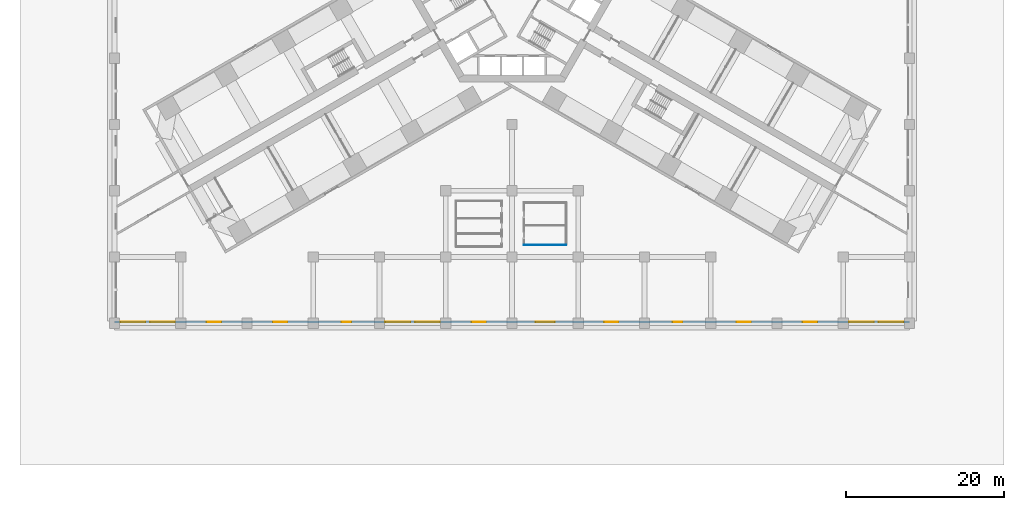
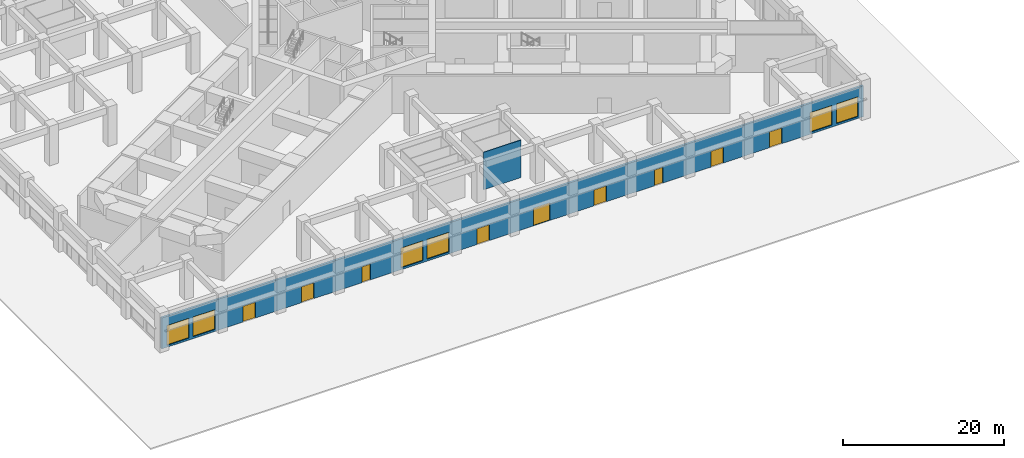
# One storey, part 6 of 33: 9 doors, 6 windows, 2 walls, 15 openings.
"""IFC4 building model written with IfcOpenShell, lengths in metres."""

from ifc_helpers import new_model, si_unit, direction, frame, frame_2d, origin, place, context, subcontext, project, spatial, rectangle, extrude, material, layer, layer_set, type_object, element, fill, save


model = new_model("IFC4")

# Units and contexts
model_context = context("Model", 3, precision=1e-05, world=origin(), true_north=direction((0.0, 1.0)))
body_context = subcontext(model_context, "Body", "Model", "MODEL_VIEW")
ifc_project = project(units=[si_unit("LENGTHUNIT", "METRE"), si_unit("AREAUNIT", "SQUARE_METRE"), si_unit("VOLUMEUNIT", "CUBIC_METRE"), si_unit("PLANEANGLEUNIT", "RADIAN"), si_unit("MASSUNIT", "GRAM", prefix="KILO")], contexts=[model_context])

# Site, building, storey
site_placement = place(None, origin())
site = spatial("IfcSite", under=ifc_project, at=site_placement, CompositionType="ELEMENT")
building_placement = place(site_placement, origin())
building = spatial("IfcBuilding", under=site, at=building_placement, Name="Impinga Residences", CompositionType="ELEMENT")
storey_placement = place(building_placement, origin())
storey = spatial("IfcBuildingStorey", under=building, at=storey_placement, Name="L00", CompositionType="ELEMENT", Elevation=0.0)

# Wall, openings, doors, windows
ifc_material_1 = material(Name="Stone facing on blockwork", Category="masonry")
ifc_layer_1 = layer(ifc_material_1, 0.300048828125)
ifc_layer_set_1 = layer_set([ifc_layer_1], Name="EW2 external wall, stone facing on blockwork 300")
wall_type_1 = type_object("IfcWallType", Name="EW2 external wall, stone facing on blockwork 300", PredefinedType="SOLIDWALL", material=ifc_layer_set_1)
wall_1_placement = place(storey_placement, frame((50.39990234375, -41.85009765625, 0.0), z_axis=(0.0, 0.0, 1.0), x_axis=(-1.0, 0.0, 0.0)))
wall_1 = element("IfcWall", 1, at=wall_1_placement, inside=storey, type_object=wall_type_1, Name="External wall EW2 L00", PredefinedType="SOLIDWALL", context=body_context, shape_type="SweptSolid", body=[
    extrude(rectangle(XDim=100.7998046875, YDim=0.300048828125, at=frame_2d((50.39990234375, 0.0))), origin(), (0.0, 0.0, 1.0), 4.699951171875),
])
opening_1_placement = place(wall_1_placement, frame((11.699951171875, 0.0, 0.0)))
opening_1 = element("IfcOpeningElement", 2, at=opening_1_placement, cuts=wall_1, Name="Opening ED6", PredefinedType="OPENING", context=body_context, shape_type="SweptSolid", body=[
    extrude(rectangle(XDim=1.800048828125, YDim=2.39990234375, at=frame_2d((0.89990234375, 1.199951171875))), frame((0.0, 0.159912109375, 0.0), z_axis=(0.0, -1.0, 0.0), x_axis=(1.0, 0.0, 0.0)), (0.0, 0.0, 1.0), 0.320068359375),
])
opening_2_placement = place(wall_1_placement, frame((20.10009765625, 0.0, 0.0)))
opening_2 = element("IfcOpeningElement", 3, at=opening_2_placement, cuts=wall_1, Name="Opening ED6", PredefinedType="OPENING", context=body_context, shape_type="SweptSolid", body=[
    extrude(rectangle(XDim=1.800048828125, YDim=2.39990234375, at=frame_2d((0.89990234375, 1.199951171875))), frame((0.0, 0.159912109375, 0.0), z_axis=(0.0, -1.0, 0.0), x_axis=(1.0, 0.0, 0.0)), (0.0, 0.0, 1.0), 0.320068359375),
])
opening_3_placement = place(wall_1_placement, frame((28.800048828125, 0.0, 0.0)))
opening_3 = element("IfcOpeningElement", 4, at=opening_3_placement, cuts=wall_1, Name="Opening ED2", PredefinedType="OPENING", context=body_context, shape_type="SweptSolid", body=[
    extrude(rectangle(XDim=1.199951171875, YDim=2.39990234375, at=frame_2d((0.60009765625, 1.199951171875))), frame((0.0, 0.159912109375, 0.0), z_axis=(0.0, -1.0, 0.0), x_axis=(1.0, 0.0, 0.0)), (0.0, 0.0, 1.0), 0.320068359375),
])
opening_4_placement = place(wall_1_placement, frame((36.89990234375, 0.0, 0.0)))
opening_4 = element("IfcOpeningElement", 5, at=opening_4_placement, cuts=wall_1, Name="Opening ED6", PredefinedType="OPENING", context=body_context, shape_type="SweptSolid", body=[
    extrude(rectangle(XDim=1.800048828125, YDim=2.39990234375, at=frame_2d((0.89990234375, 1.199951171875))), frame((0.0, 0.159912109375, 0.0), z_axis=(0.0, -1.0, 0.0), x_axis=(1.0, 0.0, 0.0)), (0.0, 0.0, 1.0), 0.320068359375),
])
opening_5_placement = place(wall_1_placement, frame((45.0, 0.0, 0.0)))
opening_5 = element("IfcOpeningElement", 6, at=opening_5_placement, cuts=wall_1, Name="Opening ED1", PredefinedType="OPENING", context=body_context, shape_type="SweptSolid", body=[
    extrude(rectangle(XDim=2.39990234375, YDim=2.699951171875, at=frame_2d((1.199951171875, 1.35009765625))), frame((0.0, 0.159912109375, 0.0), z_axis=(0.0, -1.0, 0.0), x_axis=(1.0, 0.0, 0.0)), (0.0, 0.0, 1.0), 0.320068359375),
])
opening_6_placement = place(wall_1_placement, frame((53.699951171875, 0.0, 0.0)))
opening_6 = element("IfcOpeningElement", 7, at=opening_6_placement, cuts=wall_1, Name="Opening ED6", PredefinedType="OPENING", context=body_context, shape_type="SweptSolid", body=[
    extrude(rectangle(XDim=1.800048828125, YDim=2.39990234375, at=frame_2d((0.89990234375, 1.199951171875))), frame((0.0, 0.159912109375, 0.0), z_axis=(0.0, -1.0, 0.0), x_axis=(1.0, 0.0, 0.0)), (0.0, 0.0, 1.0), 0.320068359375),
])
opening_7_placement = place(wall_1_placement, frame((70.800048828125, 0.0, 0.0)))
opening_7 = element("IfcOpeningElement", 8, at=opening_7_placement, cuts=wall_1, Name="Opening ED2", PredefinedType="OPENING", context=body_context, shape_type="SweptSolid", body=[
    extrude(rectangle(XDim=1.199951171875, YDim=2.39990234375, at=frame_2d((0.60009765625, 1.199951171875))), frame((0.0, 0.159912109375, 0.0), z_axis=(0.0, -1.0, 0.0), x_axis=(1.0, 0.0, 0.0)), (0.0, 0.0, 1.0), 0.320068359375),
])
opening_8_placement = place(wall_1_placement, frame((78.89990234375, 0.0, 0.0)))
opening_8 = element("IfcOpeningElement", 9, at=opening_8_placement, cuts=wall_1, Name="Opening ED6", PredefinedType="OPENING", context=body_context, shape_type="SweptSolid", body=[
    extrude(rectangle(XDim=1.800048828125, YDim=2.39990234375, at=frame_2d((0.89990234375, 1.199951171875))), frame((0.0, 0.159912109375, 0.0), z_axis=(0.0, -1.0, 0.0), x_axis=(1.0, 0.0, 0.0)), (0.0, 0.0, 1.0), 0.320068359375),
])
opening_9_placement = place(wall_1_placement, frame((87.300048828125, 0.0, 0.0)))
opening_9 = element("IfcOpeningElement", 10, at=opening_9_placement, cuts=wall_1, Name="Opening ED6", PredefinedType="OPENING", context=body_context, shape_type="SweptSolid", body=[
    extrude(rectangle(XDim=1.800048828125, YDim=2.39990234375, at=frame_2d((0.89990234375, 1.199951171875))), frame((0.0, 0.159912109375, 0.0), z_axis=(0.0, -1.0, 0.0), x_axis=(1.0, 0.0, 0.0)), (0.0, 0.0, 1.0), 0.320068359375),
])
opening_10_placement = place(wall_1_placement, frame((0.75, 0.0, 0.300048828125)))
opening_10 = element("IfcOpeningElement", 11, at=opening_10_placement, cuts=wall_1, Name="Opening SH1", PredefinedType="OPENING", context=body_context, shape_type="SweptSolid", body=[
    extrude(rectangle(XDim=3.14990234375, YDim=3.0, at=frame_2d((1.574951171875, 1.5))), frame((0.0, 0.159912109375, 0.0), z_axis=(0.0, -1.0, 0.0), x_axis=(1.0, 0.0, 0.0)), (0.0, 0.0, 1.0), 0.320068359375),
])
opening_11_placement = place(wall_1_placement, frame((4.5, 0.0, 0.300048828125)))
opening_11 = element("IfcOpeningElement", 12, at=opening_11_placement, cuts=wall_1, Name="Opening SH1", PredefinedType="OPENING", context=body_context, shape_type="SweptSolid", body=[
    extrude(rectangle(XDim=3.14990234375, YDim=3.0, at=frame_2d((1.574951171875, 1.5))), frame((0.0, 0.159912109375, 0.0), z_axis=(0.0, -1.0, 0.0), x_axis=(1.0, 0.0, 0.0)), (0.0, 0.0, 1.0), 0.320068359375),
])
opening_12_placement = place(wall_1_placement, frame((59.550048828125, 0.0, 0.300048828125)))
opening_12 = element("IfcOpeningElement", 13, at=opening_12_placement, cuts=wall_1, Name="Opening SH1", PredefinedType="OPENING", context=body_context, shape_type="SweptSolid", body=[
    extrude(rectangle(XDim=3.14990234375, YDim=3.0, at=frame_2d((1.574951171875, 1.5))), frame((0.0, 0.159912109375, 0.0), z_axis=(0.0, -1.0, 0.0), x_axis=(1.0, 0.0, 0.0)), (0.0, 0.0, 1.0), 0.320068359375),
])
opening_13_placement = place(wall_1_placement, frame((63.300048828125, 0.0, 0.300048828125)))
opening_13 = element("IfcOpeningElement", 14, at=opening_13_placement, cuts=wall_1, Name="Opening SH1", PredefinedType="OPENING", context=body_context, shape_type="SweptSolid", body=[
    extrude(rectangle(XDim=3.14990234375, YDim=3.0, at=frame_2d((1.574951171875, 1.5))), frame((0.0, 0.159912109375, 0.0), z_axis=(0.0, -1.0, 0.0), x_axis=(1.0, 0.0, 0.0)), (0.0, 0.0, 1.0), 0.320068359375),
])
opening_14_placement = place(wall_1_placement, frame((93.14990234375, 0.0, 0.300048828125)))
opening_14 = element("IfcOpeningElement", 15, at=opening_14_placement, cuts=wall_1, Name="Opening SH1", PredefinedType="OPENING", context=body_context, shape_type="SweptSolid", body=[
    extrude(rectangle(XDim=3.14990234375, YDim=3.0, at=frame_2d((1.574951171875, 1.5))), frame((0.0, 0.159912109375, 0.0), z_axis=(0.0, -1.0, 0.0), x_axis=(1.0, 0.0, 0.0)), (0.0, 0.0, 1.0), 0.320068359375),
])
opening_15_placement = place(wall_1_placement, frame((96.89990234375, 0.0, 0.300048828125)))
opening_15 = element("IfcOpeningElement", 16, at=opening_15_placement, cuts=wall_1, Name="Opening SH1", PredefinedType="OPENING", context=body_context, shape_type="SweptSolid", body=[
    extrude(rectangle(XDim=3.14990234375, YDim=3.0, at=frame_2d((1.574951171875, 1.5))), frame((0.0, 0.159912109375, 0.0), z_axis=(0.0, -1.0, 0.0), x_axis=(1.0, 0.0, 0.0)), (0.0, 0.0, 1.0), 0.320068359375),
])
ifc_material_2 = material(Name="Glazed aluminium door", Category="aluminium")
door_type_1 = type_object("IfcDoorType", Name="ED1 main entrance door pair 2400x2700", OperationType="DOUBLE_DOOR_DOUBLE_SWING", PredefinedType="DOOR", material=ifc_material_2)
door_1_placement = place(opening_5_placement, origin())
door_1 = element("IfcDoor", 17, at=door_1_placement, inside=storey, type_object=door_type_1, Name="Main entrance doors L00", OperationType="DOUBLE_DOOR_DOUBLE_SWING", OverallHeight=2.699951171875, OverallWidth=2.39990234375, PredefinedType="DOOR", context=body_context, shape_type="SweptSolid", body=[
    extrude(rectangle(XDim=2.39990234375, YDim=2.699951171875, at=frame_2d((1.199951171875, 1.35009765625))), frame((0.0, 0.02490234375, 0.0), z_axis=(0.0, -1.0, 0.0), x_axis=(1.0, 0.0, 0.0)), (0.0, 0.0, 1.0), 0.050048828125),
])
fill(opening_5, door_1)
ifc_material_3 = material(Name="Steel door, painted", Category="steel")
door_type_2 = type_object("IfcDoorType", Name="ED2 external exit door 1200x2400", OperationType="SINGLE_SWING_LEFT", PredefinedType="DOOR", material=ifc_material_3)
door_2_placement = place(opening_3_placement, origin())
door_2 = element("IfcDoor", 18, at=door_2_placement, inside=storey, type_object=door_type_2, Name="Exit door L00", OperationType="SINGLE_SWING_LEFT", OverallHeight=2.39990234375, OverallWidth=1.199951171875, PredefinedType="DOOR", context=body_context, shape_type="SweptSolid", body=[
    extrude(rectangle(XDim=1.199951171875, YDim=2.39990234375, at=frame_2d((0.60009765625, 1.199951171875))), frame((0.0, 0.02490234375, 0.0), z_axis=(0.0, -1.0, 0.0), x_axis=(1.0, 0.0, 0.0)), (0.0, 0.0, 1.0), 0.050048828125),
])
fill(opening_3, door_2)
door_3_placement = place(opening_7_placement, origin())
door_3 = element("IfcDoor", 19, at=door_3_placement, inside=storey, type_object=door_type_2, Name="Exit door L00", OperationType="SINGLE_SWING_RIGHT", OverallHeight=2.39990234375, OverallWidth=1.199951171875, PredefinedType="DOOR", context=body_context, shape_type="SweptSolid", body=[
    extrude(rectangle(XDim=1.199951171875, YDim=2.39990234375, at=frame_2d((0.60009765625, 1.199951171875))), frame((0.0, 0.02490234375, 0.0), z_axis=(0.0, -1.0, 0.0), x_axis=(1.0, 0.0, 0.0)), (0.0, 0.0, 1.0), 0.050048828125),
])
fill(opening_7, door_3)
door_type_3 = type_object("IfcDoorType", Name="ED6 external exit door pair 1800x2400", OperationType="DOUBLE_DOOR_DOUBLE_SWING", PredefinedType="DOOR", material=ifc_material_3)
door_4_placement = place(opening_1_placement, origin())
door_4 = element("IfcDoor", 20, at=door_4_placement, inside=storey, type_object=door_type_3, Name="Exit doors L00", OperationType="DOUBLE_DOOR_DOUBLE_SWING", OverallHeight=2.39990234375, OverallWidth=1.800048828125, PredefinedType="DOOR", context=body_context, shape_type="SweptSolid", body=[
    extrude(rectangle(XDim=1.800048828125, YDim=2.39990234375, at=frame_2d((0.89990234375, 1.199951171875))), frame((0.0, 0.02490234375, 0.0), z_axis=(0.0, -1.0, 0.0), x_axis=(1.0, 0.0, 0.0)), (0.0, 0.0, 1.0), 0.050048828125),
])
fill(opening_1, door_4)
door_5_placement = place(opening_2_placement, origin())
door_5 = element("IfcDoor", 21, at=door_5_placement, inside=storey, type_object=door_type_3, Name="Exit doors L00", OperationType="DOUBLE_DOOR_DOUBLE_SWING", OverallHeight=2.39990234375, OverallWidth=1.800048828125, PredefinedType="DOOR", context=body_context, shape_type="SweptSolid", body=[
    extrude(rectangle(XDim=1.800048828125, YDim=2.39990234375, at=frame_2d((0.89990234375, 1.199951171875))), frame((0.0, 0.02490234375, 0.0), z_axis=(0.0, -1.0, 0.0), x_axis=(1.0, 0.0, 0.0)), (0.0, 0.0, 1.0), 0.050048828125),
])
fill(opening_2, door_5)
door_6_placement = place(opening_4_placement, origin())
door_6 = element("IfcDoor", 22, at=door_6_placement, inside=storey, type_object=door_type_3, Name="Exit doors L00", OperationType="DOUBLE_DOOR_DOUBLE_SWING", OverallHeight=2.39990234375, OverallWidth=1.800048828125, PredefinedType="DOOR", context=body_context, shape_type="SweptSolid", body=[
    extrude(rectangle(XDim=1.800048828125, YDim=2.39990234375, at=frame_2d((0.89990234375, 1.199951171875))), frame((0.0, 0.02490234375, 0.0), z_axis=(0.0, -1.0, 0.0), x_axis=(1.0, 0.0, 0.0)), (0.0, 0.0, 1.0), 0.050048828125),
])
fill(opening_4, door_6)
door_7_placement = place(opening_6_placement, origin())
door_7 = element("IfcDoor", 23, at=door_7_placement, inside=storey, type_object=door_type_3, Name="Exit doors L00", OperationType="DOUBLE_DOOR_DOUBLE_SWING", OverallHeight=2.39990234375, OverallWidth=1.800048828125, PredefinedType="DOOR", context=body_context, shape_type="SweptSolid", body=[
    extrude(rectangle(XDim=1.800048828125, YDim=2.39990234375, at=frame_2d((0.89990234375, 1.199951171875))), frame((0.0, 0.02490234375, 0.0), z_axis=(0.0, -1.0, 0.0), x_axis=(1.0, 0.0, 0.0)), (0.0, 0.0, 1.0), 0.050048828125),
])
fill(opening_6, door_7)
door_8_placement = place(opening_8_placement, origin())
door_8 = element("IfcDoor", 24, at=door_8_placement, inside=storey, type_object=door_type_3, Name="Exit doors L00", OperationType="DOUBLE_DOOR_DOUBLE_SWING", OverallHeight=2.39990234375, OverallWidth=1.800048828125, PredefinedType="DOOR", context=body_context, shape_type="SweptSolid", body=[
    extrude(rectangle(XDim=1.800048828125, YDim=2.39990234375, at=frame_2d((0.89990234375, 1.199951171875))), frame((0.0, 0.02490234375, 0.0), z_axis=(0.0, -1.0, 0.0), x_axis=(1.0, 0.0, 0.0)), (0.0, 0.0, 1.0), 0.050048828125),
])
fill(opening_8, door_8)
door_9_placement = place(opening_9_placement, origin())
door_9 = element("IfcDoor", 25, at=door_9_placement, inside=storey, type_object=door_type_3, Name="Exit doors L00", OperationType="DOUBLE_DOOR_DOUBLE_SWING", OverallHeight=2.39990234375, OverallWidth=1.800048828125, PredefinedType="DOOR", context=body_context, shape_type="SweptSolid", body=[
    extrude(rectangle(XDim=1.800048828125, YDim=2.39990234375, at=frame_2d((0.89990234375, 1.199951171875))), frame((0.0, 0.02490234375, 0.0), z_axis=(0.0, -1.0, 0.0), x_axis=(1.0, 0.0, 0.0)), (0.0, 0.0, 1.0), 0.050048828125),
])
fill(opening_9, door_9)
ifc_material_4 = material(Name="Aluminium window, clear double glazing", Category="aluminium")
window_type = type_object("IfcWindowType", Name="SH1 shopfront window 3150x3000", PartitioningType="SINGLE_PANEL", PredefinedType="WINDOW", material=ifc_material_4)
window_1_placement = place(opening_10_placement, origin())
window_1 = element("IfcWindow", 26, at=window_1_placement, inside=storey, type_object=window_type, Name="Window L00", OverallHeight=3.0, OverallWidth=3.14990234375, PartitioningType="SINGLE_PANEL", PredefinedType="WINDOW", context=body_context, shape_type="SweptSolid", body=[
    extrude(rectangle(XDim=3.14990234375, YDim=3.0, at=frame_2d((1.574951171875, 1.5))), frame((0.0, 0.030029296875, 0.0), z_axis=(0.0, -1.0, 0.0), x_axis=(1.0, 0.0, 0.0)), (0.0, 0.0, 1.0), 0.06005859375),
])
fill(opening_10, window_1)
window_2_placement = place(opening_11_placement, origin())
window_2 = element("IfcWindow", 27, at=window_2_placement, inside=storey, type_object=window_type, Name="Window L00", OverallHeight=3.0, OverallWidth=3.14990234375, PartitioningType="SINGLE_PANEL", PredefinedType="WINDOW", context=body_context, shape_type="SweptSolid", body=[
    extrude(rectangle(XDim=3.14990234375, YDim=3.0, at=frame_2d((1.574951171875, 1.5))), frame((0.0, 0.030029296875, 0.0), z_axis=(0.0, -1.0, 0.0), x_axis=(1.0, 0.0, 0.0)), (0.0, 0.0, 1.0), 0.06005859375),
])
fill(opening_11, window_2)
window_3_placement = place(opening_12_placement, origin())
window_3 = element("IfcWindow", 28, at=window_3_placement, inside=storey, type_object=window_type, Name="Window L00", OverallHeight=3.0, OverallWidth=3.14990234375, PartitioningType="SINGLE_PANEL", PredefinedType="WINDOW", context=body_context, shape_type="SweptSolid", body=[
    extrude(rectangle(XDim=3.14990234375, YDim=3.0, at=frame_2d((1.574951171875, 1.5))), frame((0.0, 0.030029296875, 0.0), z_axis=(0.0, -1.0, 0.0), x_axis=(1.0, 0.0, 0.0)), (0.0, 0.0, 1.0), 0.06005859375),
])
fill(opening_12, window_3)
window_4_placement = place(opening_13_placement, origin())
window_4 = element("IfcWindow", 29, at=window_4_placement, inside=storey, type_object=window_type, Name="Window L00", OverallHeight=3.0, OverallWidth=3.14990234375, PartitioningType="SINGLE_PANEL", PredefinedType="WINDOW", context=body_context, shape_type="SweptSolid", body=[
    extrude(rectangle(XDim=3.14990234375, YDim=3.0, at=frame_2d((1.574951171875, 1.5))), frame((0.0, 0.030029296875, 0.0), z_axis=(0.0, -1.0, 0.0), x_axis=(1.0, 0.0, 0.0)), (0.0, 0.0, 1.0), 0.06005859375),
])
fill(opening_13, window_4)
window_5_placement = place(opening_14_placement, origin())
window_5 = element("IfcWindow", 30, at=window_5_placement, inside=storey, type_object=window_type, Name="Window L00", OverallHeight=3.0, OverallWidth=3.14990234375, PartitioningType="SINGLE_PANEL", PredefinedType="WINDOW", context=body_context, shape_type="SweptSolid", body=[
    extrude(rectangle(XDim=3.14990234375, YDim=3.0, at=frame_2d((1.574951171875, 1.5))), frame((0.0, 0.030029296875, 0.0), z_axis=(0.0, -1.0, 0.0), x_axis=(1.0, 0.0, 0.0)), (0.0, 0.0, 1.0), 0.06005859375),
])
fill(opening_14, window_5)
window_6_placement = place(opening_15_placement, origin())
window_6 = element("IfcWindow", 31, at=window_6_placement, inside=storey, type_object=window_type, Name="Window L00", OverallHeight=3.0, OverallWidth=3.14990234375, PartitioningType="SINGLE_PANEL", PredefinedType="WINDOW", context=body_context, shape_type="SweptSolid", body=[
    extrude(rectangle(XDim=3.14990234375, YDim=3.0, at=frame_2d((1.574951171875, 1.5))), frame((0.0, 0.030029296875, 0.0), z_axis=(0.0, -1.0, 0.0), x_axis=(1.0, 0.0, 0.0)), (0.0, 0.0, 1.0), 0.06005859375),
])
fill(opening_15, window_6)

# Wall
ifc_material_5 = material(Name="Gypsum board on steel studs", Category="steel")
ifc_layer_2 = layer(ifc_material_5, 0.10009765625)
ifc_layer_set_2 = layer_set([ifc_layer_2], Name="Gypsum board on steel studs")
wall_type_2 = type_object("IfcWallType", Name="IP1 partition 100", PredefinedType="PARTITIONING", material=ifc_layer_set_2)
wall_2_placement = place(storey_placement, frame((1.52001953125, -32.080078125, 0.0), z_axis=(0.0, 0.0, 1.0), x_axis=(1.0, 0.0, 0.0)))
element("IfcWall", 32, at=wall_2_placement, inside=storey, type_object=wall_type_2, Name="Partition L00:REG:S:B2:BLKS", PredefinedType="PARTITIONING", context=body_context, shape_type="SweptSolid", body=[
    extrude(rectangle(XDim=5.35986328125, YDim=0.10009765625, at=frame_2d((2.679931640625, 0.0))), origin(), (0.0, 0.0, 1.0), 5.699951171875),
])

save(model, "model.ifc")
